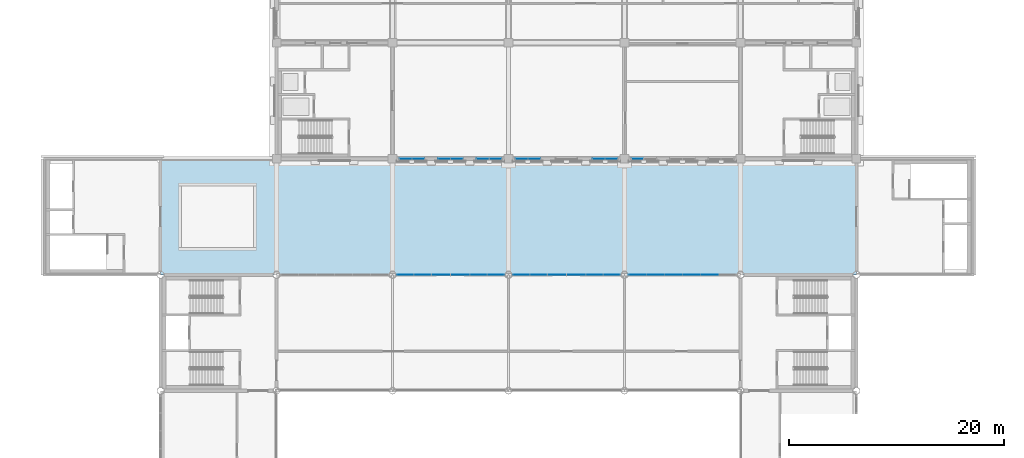
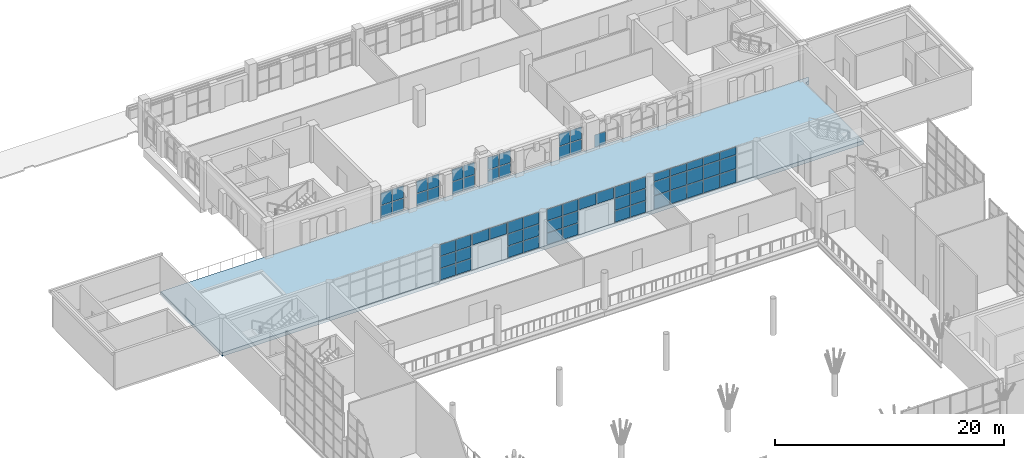
# One storey, part 51 of 95: 64 plates, 1 slab, 13 elements without a shape of their own.
"""IFC4 building model written with IfcOpenShell, lengths in metres."""

import ifcopenshell
import ifcopenshell.guid

model = None  # the IFC model being written
_history = None  # IfcOwnerHistory: only IFC2X3 demands one
_inside = {}  # id of a spatial element -> (the spatial element, [elements in it])
_under = {}  # id of a project, library or spatial element -> (it, [spatial elements below it])
_declared = {}  # id of a project -> (the project, [libraries it declares])
_typed = {}  # id of a type object -> (the type object, [elements of that type])
_made_of = {}  # id of a material, layer set ... -> (it, [elements and type objects made of it])


def new_model(schema):
    """Start an empty IFC model of exactly this schema.

    Asked for "IFC4X3", IfcOpenShell would pick the latest addendum, in which some entities
    have other attributes; the version numbers below select the first issue.
    IFC2X3 requires an IfcOwnerHistory on every rooted entity: one is made here for all.
    """
    global model, _history
    if schema == "IFC4X3":
        model = ifcopenshell.file(schema_version=(4, 3, 0, 0))
    else:
        model = ifcopenshell.file(schema=schema)
    _inside.clear()
    _under.clear()
    _declared.clear()
    _typed.clear()
    _made_of.clear()
    _history = None
    if model.schema == "IFC2X3":
        org = make("IfcOrganization", Name="unknown")
        user = make(
            "IfcPersonAndOrganization",
            ThePerson=make("IfcPerson", FamilyName="unknown"),
            TheOrganization=org,
        )
        app = make(
            "IfcApplication",
            ApplicationDeveloper=org,
            Version="unknown",
            ApplicationFullName="unknown",
            ApplicationIdentifier="unknown",
        )
        _history = make(
            "IfcOwnerHistory",
            OwningUser=user,
            OwningApplication=app,
            ChangeAction="ADDED",
            CreationDate=0,
        )
    return model


def make(cls, **values):
    """One entity of the class cls with the attributes given. An attribute that is None is left unset."""
    return model.create_entity(
        cls, **{name: value for name, value in values.items() if value is not None}
    )


def rooted(cls, **values):
    """An entity with a GlobalId (a new one), such as an element, a storey or a relation."""
    return make(cls, GlobalId=ifcopenshell.guid.new(), OwnerHistory=_history, **values)


def si_unit(unit_type, name, prefix=None):
    """IfcSIUnit, for example si_unit("LENGTHUNIT", "METRE", prefix="MILLI")."""
    return make("IfcSIUnit", UnitType=unit_type, Prefix=prefix, Name=name)


def assignment(units):
    """IfcUnitAssignment: the units of a project."""
    return None if units is None else make("IfcUnitAssignment", Units=units)


def point(xyz):
    """IfcCartesianPoint."""
    return None if xyz is None else make("IfcCartesianPoint", Coordinates=xyz)


def direction(xyz):
    """IfcDirection."""
    return None if xyz is None else make("IfcDirection", DirectionRatios=xyz)


def frame(location, z_axis=None, x_axis=None):
    """IfcAxis2Placement3D, a coordinate frame: its origin and axes. An axis left out is left unset."""
    return make(
        "IfcAxis2Placement3D",
        Location=point(location),
        Axis=direction(z_axis),
        RefDirection=direction(x_axis),
    )


def frame_2d(location, x_axis=None):
    """IfcAxis2Placement2D, a coordinate frame in the plane: its origin and x axis."""
    return make(
        "IfcAxis2Placement2D", Location=point(location), RefDirection=direction(x_axis)
    )


def origin():
    """The frame at (0, 0, 0) with its axes left unset."""
    return frame((0.0, 0.0, 0.0))


def origin_2d():
    """The frame at (0, 0) in the plane with its x axis left unset."""
    return frame_2d((0.0, 0.0))


def place(relative_to, where):
    """IfcLocalPlacement: puts the frame where relative to a parent placement (None: the world)."""
    return make(
        "IfcLocalPlacement", PlacementRelTo=relative_to, RelativePlacement=where
    )


def context(
    kind, dimensions, precision=None, world=None, true_north=None, identifier=None
):
    """IfcGeometricRepresentationContext, for example the 3D "Model" context."""
    return make(
        "IfcGeometricRepresentationContext",
        ContextIdentifier=identifier,
        ContextType=kind,
        CoordinateSpaceDimension=dimensions,
        Precision=precision,
        WorldCoordinateSystem=world,
        TrueNorth=true_north,
    )


def subcontext(parent, identifier, kind, view, scale=None):
    """IfcGeometricRepresentationSubContext, for example "Body" below "Model"."""
    return make(
        "IfcGeometricRepresentationSubContext",
        ContextIdentifier=identifier,
        ContextType=kind,
        ParentContext=parent,
        TargetScale=scale,
        TargetView=view,
    )


def project(units=None, contexts=None):
    """IfcProject with its units and contexts."""
    return rooted(
        "IfcProject",
        Name="project",
        RepresentationContexts=contexts,
        UnitsInContext=assignment(units),
    )


def spatial(cls, under=None, at=None, **own):
    """A site, building, storey or space (cls), placed at a placement, below another one or the project."""
    s = rooted(cls, ObjectPlacement=at, **own)
    if under is not None:
        _under.setdefault(under.id(), (under, []))[1].append(s)
    return s


def polyline(points):
    """IfcPolyline through the points."""
    return make("IfcPolyline", Points=[point(p) for p in points])


def profile(cls, at=None, kind="AREA", **sizes):
    """A parametric profile (cls). Its sizes go by their IFC names, for example OverallWidth=200.0."""
    return make(cls, ProfileType=kind, Position=at, **sizes)


def rectangle(**sizes):
    """IfcRectangleProfileDef."""
    return profile("IfcRectangleProfileDef", **sizes)


def outline(outer, holes=None, kind="AREA"):
    """IfcArbitraryClosedProfileDef: a profile drawn as a closed curve; with holes, ...WithVoids."""
    if holes is None:
        return make("IfcArbitraryClosedProfileDef", ProfileType=kind, OuterCurve=outer)
    return make(
        "IfcArbitraryProfileDefWithVoids",
        ProfileType=kind,
        OuterCurve=outer,
        InnerCurves=holes,
    )


def extrude(swept, where, along, depth):
    """IfcExtrudedAreaSolid: the profile swept, set in the frame where, extruded along a direction by depth."""
    return make(
        "IfcExtrudedAreaSolid",
        SweptArea=swept,
        Position=where,
        ExtrudedDirection=direction(along),
        Depth=depth,
    )


def shape(context_of_items, identifier, shape_type, items):
    """IfcShapeRepresentation: the items that make up one representation, for example the "Body"."""
    return make(
        "IfcShapeRepresentation",
        ContextOfItems=context_of_items,
        RepresentationIdentifier=identifier,
        RepresentationType=shape_type,
        Items=items,
    )


def material(Name=None, Category=None):
    """IfcMaterial."""
    return make("IfcMaterial", Name=Name, Category=Category)


def layer(
    of_material, thickness, ventilated=None, Name=None, Category=None, Priority=None
):
    """IfcMaterialLayer: one layer of a wall or slab, of a material (None: an air gap)."""
    return make(
        "IfcMaterialLayer",
        Material=of_material,
        LayerThickness=thickness,
        IsVentilated=ventilated,
        Name=Name,
        Category=Category,
        Priority=Priority,
    )


def layer_set(layers, Name=None):
    """IfcMaterialLayerSet."""
    return make("IfcMaterialLayerSet", MaterialLayers=layers, LayerSetName=Name)


def made_of(thing, what):
    """Note that an element or type object is made of a material, layer set ...; save() writes the relation."""
    if what is not None:
        _made_of.setdefault(what.id(), (what, []))[1].append(thing)
    return thing


def type_object(cls, material=None, **own):
    """A type object (cls), such as IfcWallType, which elements share."""
    return made_of(rooted(cls, **own), material)


def element(
    cls,
    number,
    at=None,
    inside=None,
    cuts=None,
    type_object=None,
    material=None,
    context=None,
    identifier="Body",
    shape_type=None,
    held_by="IfcProductDefinitionShape",
    body=None,
    shapes=None,
    **own,
):
    """One element of the class cls, such as IfcWall. Its Tag is "e" and its number.

    at: its placement. inside: the storey or other place that contains it. cuts: it is an
    opening in that element (IfcRelVoidsElement). A single representation is given by context,
    identifier, shape_type and body (its items); several are given by shapes. held_by: the class
    of the entity that holds the representations. save() writes the other relations.
    """
    e = rooted(cls, Tag="e%d" % number, ObjectPlacement=at, **own)
    if body is not None:
        shapes = [shape(context, identifier, shape_type, body)]
    if shapes is not None:
        e.Representation = make(held_by, Representations=shapes)
    if inside is not None:
        _inside.setdefault(inside.id(), (inside, []))[1].append(e)
    if cuts is not None:
        rooted(
            "IfcRelVoidsElement", RelatingBuildingElement=cuts, RelatedOpeningElement=e
        )
    if type_object is not None:
        _typed.setdefault(type_object.id(), (type_object, []))[1].append(e)
    return made_of(e, material)


def aggregate(whole, parts):
    """IfcRelAggregates: a whole, such as a stair, and the parts it consists of."""
    return rooted("IfcRelAggregates", RelatingObject=whole, RelatedObjects=parts)


def save(model, path):
    """Write the relations noted so far, then the file.

    IfcRelAggregates (storeys below a building ...), IfcRelContainedInSpatialStructure (elements
    in a storey), IfcRelDefinesByType, IfcRelAssociatesMaterial and IfcRelDeclares: one each for
    every whole, place, type object, material and project.
    """
    for whole, parts in _under.values():
        aggregate(whole, parts)
    for where, things in _inside.values():
        rooted(
            "IfcRelContainedInSpatialStructure",
            RelatedElements=things,
            RelatingStructure=where,
        )
    for kind, things in _typed.values():
        rooted("IfcRelDefinesByType", RelatedObjects=things, RelatingType=kind)
    for what, things in _made_of.values():
        rooted("IfcRelAssociatesMaterial", RelatedObjects=things, RelatingMaterial=what)
    for by, libraries in _declared.values():
        rooted("IfcRelDeclares", RelatingContext=by, RelatedDefinitions=libraries)
    model.write(path)


model = new_model("IFC4")

# Units and contexts
model_context = context("Model", 3, precision=1e-05, world=origin(), true_north=direction((0.0, 1.0)))
body_context = subcontext(model_context, "Body", "Model", "MODEL_VIEW")
ifc_project = project(units=[si_unit("LENGTHUNIT", "METRE"), si_unit("AREAUNIT", "SQUARE_METRE"), si_unit("VOLUMEUNIT", "CUBIC_METRE"), si_unit("PLANEANGLEUNIT", "RADIAN"), si_unit("MASSUNIT", "GRAM", prefix="KILO")], contexts=[model_context])

# Site, building, storey
site_placement = place(None, origin())
site = spatial("IfcSite", under=ifc_project, at=site_placement, CompositionType="ELEMENT")
building_placement = place(site_placement, origin())
building = spatial("IfcBuilding", under=site, at=building_placement, Name="Magnolia Steps Interchange", CompositionType="ELEMENT")
storey_placement = place(building_placement, frame((0.0, 0.0, 4.800048828125)))
storey = spatial("IfcBuildingStorey", under=building, at=storey_placement, Name="L01", CompositionType="ELEMENT", Elevation=4.800048828125)

# Slab
ifc_material_1 = material(Name="Concrete C40", Category="concrete")
ifc_layer_1 = layer(ifc_material_1, 0.39990234375)
ifc_layer_set_1 = layer_set([ifc_layer_1], Name="Floor slab 400")
slab_type = type_object("IfcSlabType", Name="Floor slab 400", PredefinedType="FLOOR", material=ifc_layer_set_1)
slab_placement = place(storey_placement, frame((0.0, 0.0, -0.400146484375)))
element("IfcSlab", 1, at=slab_placement, inside=storey, type_object=slab_type, Name="Raised public deck", PredefinedType="FLOOR", context=body_context, shape_type="SweptSolid", body=[
    extrude(outline(polyline([(53.199951171875, 96.39990234375), (53.199951171875, 85.60009765625), (118.0, 85.60009765625), (118.0, 95.75), (118.063720703125, 95.753173828125), (118.126708984375, 95.762451171875), (118.188720703125, 95.778076171875), (118.248779296875, 95.799560546875), (118.306396484375, 95.826904296875), (118.361083984375, 95.859619140625), (118.412353515625, 95.8974609375), (118.459716796875, 95.9404296875), (118.50244140625, 95.987548828125), (118.54052734375, 96.038818359375), (118.5732421875, 96.093505859375), (118.6005859375, 96.1513671875), (118.6220703125, 96.211181640625), (118.637451171875, 96.273193359375), (118.64697265625, 96.336181640625), (118.64990234375, 96.39990234375), (53.199951171875, 96.39990234375)])), origin(), (0.0, 0.0, 1.0), 0.400146484375),
])

# Curtain wall, plates
ifc_material_2 = material(Name="Powder-coated aluminium and glass", Category="aluminium")
ifc_layer_2 = layer(ifc_material_2, 0.179931640625)
ifc_layer_set_2 = layer_set([ifc_layer_2], Name="Lobby shopfront curtain wall")
curtain_wall_type_1 = type_object("IfcCurtainWallType", Name="Lobby shopfront curtain wall", PredefinedType="NOTDEFINED", material=ifc_layer_set_2)
curtain_wall_1_placement = place(storey_placement, origin())
curtain_wall_1 = element("IfcCurtainWall", 2, at=curtain_wall_1_placement, inside=storey, type_object=curtain_wall_type_1, Name="Operations lobby south glazing 2", PredefinedType="NOTDEFINED")
ifc_material_3 = material(Name="Laminated glass", Category="glass")
ifc_layer_3 = layer(ifc_material_3, 0.028076171875)
ifc_layer_set_3 = layer_set([ifc_layer_3], Name="Glass panel 28")
plate_type = type_object("IfcPlateType", Name="Glass panel 28", PredefinedType="CURTAIN_PANEL", material=ifc_layer_set_3)
plate_1_placement = place(storey_placement, frame((76.014892578125, 96.39990234375, 0.059814453125), z_axis=(0.0, 0.0, 1.0), x_axis=(1.0, 0.0, 0.0)))
plate_1 = element("IfcPlate", 3, at=plate_1_placement, type_object=plate_type, Name="CW5 panel 1.1", PredefinedType="CURTAIN_PANEL", context=body_context, shape_type="SweptSolid", body=[
    extrude(rectangle(XDim=1.110107421875, YDim=0.028076171875, at=origin_2d()), origin(), (0.0, 0.0, 1.0), 1.31005859375),
])
plate_2_placement = place(storey_placement, frame((76.014892578125, 96.39990234375, 1.429931640625), z_axis=(0.0, 0.0, 1.0), x_axis=(1.0, 0.0, 0.0)))
plate_2 = element("IfcPlate", 4, at=plate_2_placement, type_object=plate_type, Name="CW5 panel 1.2", PredefinedType="CURTAIN_PANEL", context=body_context, shape_type="SweptSolid", body=[
    extrude(rectangle(XDim=1.110107421875, YDim=0.028076171875, at=origin_2d()), origin(), (0.0, 0.0, 1.0), 1.31005859375),
])
plate_3_placement = place(storey_placement, frame((77.18505859375, 96.39990234375, 0.059814453125), z_axis=(0.0, 0.0, 1.0), x_axis=(1.0, 0.0, 0.0)))
plate_3 = element("IfcPlate", 5, at=plate_3_placement, type_object=plate_type, Name="CW5 panel 2.1", PredefinedType="CURTAIN_PANEL", context=body_context, shape_type="SweptSolid", body=[
    extrude(rectangle(XDim=1.110107421875, YDim=0.028076171875, at=origin_2d()), origin(), (0.0, 0.0, 1.0), 1.31005859375),
])
plate_4_placement = place(storey_placement, frame((77.18505859375, 96.39990234375, 1.429931640625), z_axis=(0.0, 0.0, 1.0), x_axis=(1.0, 0.0, 0.0)))
plate_4 = element("IfcPlate", 6, at=plate_4_placement, type_object=plate_type, Name="CW5 panel 2.2", PredefinedType="CURTAIN_PANEL", context=body_context, shape_type="SweptSolid", body=[
    extrude(rectangle(XDim=1.110107421875, YDim=0.028076171875, at=origin_2d()), origin(), (0.0, 0.0, 1.0), 1.31005859375),
])
aggregate(curtain_wall_1, [plate_1, plate_2, plate_3, plate_4])

curtain_wall_2_placement = place(storey_placement, origin())
curtain_wall_2 = element("IfcCurtainWall", 7, at=curtain_wall_2_placement, inside=storey, type_object=curtain_wall_type_1, Name="Operations lobby south glazing 4", PredefinedType="NOTDEFINED")
plate_5_placement = place(storey_placement, frame((79.614990234375, 96.39990234375, 0.059814453125), z_axis=(0.0, 0.0, 1.0), x_axis=(1.0, 0.0, 0.0)))
plate_5 = element("IfcPlate", 8, at=plate_5_placement, type_object=plate_type, Name="CW5 panel 1.1", PredefinedType="CURTAIN_PANEL", context=body_context, shape_type="SweptSolid", body=[
    extrude(rectangle(XDim=1.110107421875, YDim=0.028076171875, at=origin_2d()), origin(), (0.0, 0.0, 1.0), 1.31005859375),
])
plate_6_placement = place(storey_placement, frame((79.614990234375, 96.39990234375, 1.429931640625), z_axis=(0.0, 0.0, 1.0), x_axis=(1.0, 0.0, 0.0)))
plate_6 = element("IfcPlate", 9, at=plate_6_placement, type_object=plate_type, Name="CW5 panel 1.2", PredefinedType="CURTAIN_PANEL", context=body_context, shape_type="SweptSolid", body=[
    extrude(rectangle(XDim=1.110107421875, YDim=0.028076171875, at=origin_2d()), origin(), (0.0, 0.0, 1.0), 1.31005859375),
])
plate_7_placement = place(storey_placement, frame((80.784912109375, 96.39990234375, 0.059814453125), z_axis=(0.0, 0.0, 1.0), x_axis=(1.0, 0.0, 0.0)))
plate_7 = element("IfcPlate", 10, at=plate_7_placement, type_object=plate_type, Name="CW5 panel 2.1", PredefinedType="CURTAIN_PANEL", context=body_context, shape_type="SweptSolid", body=[
    extrude(rectangle(XDim=1.110107421875, YDim=0.028076171875, at=origin_2d()), origin(), (0.0, 0.0, 1.0), 1.31005859375),
])
plate_8_placement = place(storey_placement, frame((80.784912109375, 96.39990234375, 1.429931640625), z_axis=(0.0, 0.0, 1.0), x_axis=(1.0, 0.0, 0.0)))
plate_8 = element("IfcPlate", 11, at=plate_8_placement, type_object=plate_type, Name="CW5 panel 2.2", PredefinedType="CURTAIN_PANEL", context=body_context, shape_type="SweptSolid", body=[
    extrude(rectangle(XDim=1.110107421875, YDim=0.028076171875, at=origin_2d()), origin(), (0.0, 0.0, 1.0), 1.31005859375),
])
aggregate(curtain_wall_2, [plate_5, plate_6, plate_7, plate_8])

curtain_wall_3_placement = place(storey_placement, origin())
curtain_wall_3 = element("IfcCurtainWall", 12, at=curtain_wall_3_placement, inside=storey, type_object=curtain_wall_type_1, Name="Operations lobby south glazing 6", PredefinedType="NOTDEFINED")
plate_9_placement = place(storey_placement, frame((83.215087890625, 96.39990234375, 0.059814453125), z_axis=(0.0, 0.0, 1.0), x_axis=(1.0, 0.0, 0.0)))
plate_9 = element("IfcPlate", 13, at=plate_9_placement, type_object=plate_type, Name="CW5 panel 1.1", PredefinedType="CURTAIN_PANEL", context=body_context, shape_type="SweptSolid", body=[
    extrude(rectangle(XDim=1.110107421875, YDim=0.028076171875, at=origin_2d()), origin(), (0.0, 0.0, 1.0), 1.31005859375),
])
plate_10_placement = place(storey_placement, frame((83.215087890625, 96.39990234375, 1.429931640625), z_axis=(0.0, 0.0, 1.0), x_axis=(1.0, 0.0, 0.0)))
plate_10 = element("IfcPlate", 14, at=plate_10_placement, type_object=plate_type, Name="CW5 panel 1.2", PredefinedType="CURTAIN_PANEL", context=body_context, shape_type="SweptSolid", body=[
    extrude(rectangle(XDim=1.110107421875, YDim=0.028076171875, at=origin_2d()), origin(), (0.0, 0.0, 1.0), 1.31005859375),
])
plate_11_placement = place(storey_placement, frame((84.385009765625, 96.39990234375, 0.059814453125), z_axis=(0.0, 0.0, 1.0), x_axis=(1.0, 0.0, 0.0)))
plate_11 = element("IfcPlate", 15, at=plate_11_placement, type_object=plate_type, Name="CW5 panel 2.1", PredefinedType="CURTAIN_PANEL", context=body_context, shape_type="SweptSolid", body=[
    extrude(rectangle(XDim=1.110107421875, YDim=0.028076171875, at=origin_2d()), origin(), (0.0, 0.0, 1.0), 1.31005859375),
])
plate_12_placement = place(storey_placement, frame((84.385009765625, 96.39990234375, 1.429931640625), z_axis=(0.0, 0.0, 1.0), x_axis=(1.0, 0.0, 0.0)))
plate_12 = element("IfcPlate", 16, at=plate_12_placement, type_object=plate_type, Name="CW5 panel 2.2", PredefinedType="CURTAIN_PANEL", context=body_context, shape_type="SweptSolid", body=[
    extrude(rectangle(XDim=1.110107421875, YDim=0.028076171875, at=origin_2d()), origin(), (0.0, 0.0, 1.0), 1.31005859375),
])
aggregate(curtain_wall_3, [plate_9, plate_10, plate_11, plate_12])

curtain_wall_4_placement = place(storey_placement, origin())
curtain_wall_4 = element("IfcCurtainWall", 17, at=curtain_wall_4_placement, inside=storey, type_object=curtain_wall_type_1, Name="Operations lobby south glazing 8", PredefinedType="NOTDEFINED")
plate_13_placement = place(storey_placement, frame((86.81494140625, 96.39990234375, 0.059814453125), z_axis=(0.0, 0.0, 1.0), x_axis=(1.0, 0.0, 0.0)))
plate_13 = element("IfcPlate", 18, at=plate_13_placement, type_object=plate_type, Name="CW5 panel 1.1", PredefinedType="CURTAIN_PANEL", context=body_context, shape_type="SweptSolid", body=[
    extrude(rectangle(XDim=1.110107421875, YDim=0.028076171875, at=origin_2d()), origin(), (0.0, 0.0, 1.0), 1.31005859375),
])
plate_14_placement = place(storey_placement, frame((86.81494140625, 96.39990234375, 1.429931640625), z_axis=(0.0, 0.0, 1.0), x_axis=(1.0, 0.0, 0.0)))
plate_14 = element("IfcPlate", 19, at=plate_14_placement, type_object=plate_type, Name="CW5 panel 1.2", PredefinedType="CURTAIN_PANEL", context=body_context, shape_type="SweptSolid", body=[
    extrude(rectangle(XDim=1.110107421875, YDim=0.028076171875, at=origin_2d()), origin(), (0.0, 0.0, 1.0), 1.31005859375),
])
plate_15_placement = place(storey_placement, frame((87.985107421875, 96.39990234375, 0.059814453125), z_axis=(0.0, 0.0, 1.0), x_axis=(1.0, 0.0, 0.0)))
plate_15 = element("IfcPlate", 20, at=plate_15_placement, type_object=plate_type, Name="CW5 panel 2.1", PredefinedType="CURTAIN_PANEL", context=body_context, shape_type="SweptSolid", body=[
    extrude(rectangle(XDim=1.110107421875, YDim=0.028076171875, at=origin_2d()), origin(), (0.0, 0.0, 1.0), 1.31005859375),
])
plate_16_placement = place(storey_placement, frame((87.985107421875, 96.39990234375, 1.429931640625), z_axis=(0.0, 0.0, 1.0), x_axis=(1.0, 0.0, 0.0)))
plate_16 = element("IfcPlate", 21, at=plate_16_placement, type_object=plate_type, Name="CW5 panel 2.2", PredefinedType="CURTAIN_PANEL", context=body_context, shape_type="SweptSolid", body=[
    extrude(rectangle(XDim=1.110107421875, YDim=0.028076171875, at=origin_2d()), origin(), (0.0, 0.0, 1.0), 1.31005859375),
])
aggregate(curtain_wall_4, [plate_13, plate_14, plate_15, plate_16])

curtain_wall_5_placement = place(storey_placement, origin())
curtain_wall_5 = element("IfcCurtainWall", 22, at=curtain_wall_5_placement, inside=storey, type_object=curtain_wall_type_1, Name="Operations lobby south glazing 10", PredefinedType="NOTDEFINED")
plate_17_placement = place(storey_placement, frame((94.014892578125, 96.39990234375, 0.059814453125), z_axis=(0.0, 0.0, 1.0), x_axis=(1.0, 0.0, 0.0)))
plate_17 = element("IfcPlate", 23, at=plate_17_placement, type_object=plate_type, Name="CW5 panel 1.1", PredefinedType="CURTAIN_PANEL", context=body_context, shape_type="SweptSolid", body=[
    extrude(rectangle(XDim=1.110107421875, YDim=0.028076171875, at=origin_2d()), origin(), (0.0, 0.0, 1.0), 1.31005859375),
])
plate_18_placement = place(storey_placement, frame((94.014892578125, 96.39990234375, 1.429931640625), z_axis=(0.0, 0.0, 1.0), x_axis=(1.0, 0.0, 0.0)))
plate_18 = element("IfcPlate", 24, at=plate_18_placement, type_object=plate_type, Name="CW5 panel 1.2", PredefinedType="CURTAIN_PANEL", context=body_context, shape_type="SweptSolid", body=[
    extrude(rectangle(XDim=1.110107421875, YDim=0.028076171875, at=origin_2d()), origin(), (0.0, 0.0, 1.0), 1.31005859375),
])
plate_19_placement = place(storey_placement, frame((95.18505859375, 96.39990234375, 0.059814453125), z_axis=(0.0, 0.0, 1.0), x_axis=(1.0, 0.0, 0.0)))
plate_19 = element("IfcPlate", 25, at=plate_19_placement, type_object=plate_type, Name="CW5 panel 2.1", PredefinedType="CURTAIN_PANEL", context=body_context, shape_type="SweptSolid", body=[
    extrude(rectangle(XDim=1.110107421875, YDim=0.028076171875, at=origin_2d()), origin(), (0.0, 0.0, 1.0), 1.31005859375),
])
plate_20_placement = place(storey_placement, frame((95.18505859375, 96.39990234375, 1.429931640625), z_axis=(0.0, 0.0, 1.0), x_axis=(1.0, 0.0, 0.0)))
plate_20 = element("IfcPlate", 26, at=plate_20_placement, type_object=plate_type, Name="CW5 panel 2.2", PredefinedType="CURTAIN_PANEL", context=body_context, shape_type="SweptSolid", body=[
    extrude(rectangle(XDim=1.110107421875, YDim=0.028076171875, at=origin_2d()), origin(), (0.0, 0.0, 1.0), 1.31005859375),
])
aggregate(curtain_wall_5, [plate_17, plate_18, plate_19, plate_20])

# Curtain wall, plate
curtain_wall_6_placement = place(storey_placement, origin())
curtain_wall_6 = element("IfcCurtainWall", 27, at=curtain_wall_6_placement, inside=storey, type_object=curtain_wall_type_1, Name="Operations lobby south glazing 12", PredefinedType="NOTDEFINED")
plate_21_placement = place(storey_placement, frame((97.614990234375, 96.39990234375, 0.059814453125), z_axis=(0.0, 0.0, 1.0), x_axis=(1.0, 0.0, 0.0)))
plate_21 = element("IfcPlate", 28, at=plate_21_placement, type_object=plate_type, Name="CW5 panel 1.1", PredefinedType="CURTAIN_PANEL", context=body_context, shape_type="SweptSolid", body=[
    extrude(rectangle(XDim=1.110107421875, YDim=0.028076171875, at=origin_2d()), origin(), (0.0, 0.0, 1.0), 1.31005859375),
])
aggregate(curtain_wall_6, [plate_21])

# Curtain wall, plates
ifc_material_4 = material(Name="Powder-coated aluminium and glass", Category="aluminium")
ifc_layer_4 = layer(ifc_material_4, 0.14990234375)
ifc_layer_set_4 = layer_set([ifc_layer_4], Name="Glazed hall curtain wall")
curtain_wall_type_2 = type_object("IfcCurtainWallType", Name="Glazed hall curtain wall", PredefinedType="NOTDEFINED", material=ifc_layer_set_4)
curtain_wall_7_placement = place(storey_placement, origin())
curtain_wall_7 = element("IfcCurtainWall", 29, at=curtain_wall_7_placement, inside=storey, type_object=curtain_wall_type_2, Name="Hall glazing N3a L01", PredefinedType="NOTDEFINED")
plate_22_placement = place(storey_placement, frame((75.985107421875, 85.60009765625, 0.06005859375), z_axis=(0.0, 0.0, 1.0), x_axis=(1.0, 0.0, 0.0)))
plate_22 = element("IfcPlate", 30, at=plate_22_placement, type_object=plate_type, Name="CW1 panel 1.1", PredefinedType="CURTAIN_PANEL", context=body_context, shape_type="SweptSolid", body=[
    extrude(rectangle(XDim=1.530029296875, YDim=0.028076171875, at=origin_2d()), origin(), (0.0, 0.0, 1.0), 1.2099609375),
])
plate_23_placement = place(storey_placement, frame((75.985107421875, 85.60009765625, 1.330078125), z_axis=(0.0, 0.0, 1.0), x_axis=(1.0, 0.0, 0.0)))
plate_23 = element("IfcPlate", 31, at=plate_23_placement, type_object=plate_type, Name="CW1 panel 1.2", PredefinedType="CURTAIN_PANEL", context=body_context, shape_type="SweptSolid", body=[
    extrude(rectangle(XDim=1.530029296875, YDim=0.028076171875, at=origin_2d()), origin(), (0.0, 0.0, 1.0), 1.239990234375),
])
plate_24_placement = place(storey_placement, frame((75.985107421875, 85.60009765625, 2.6298828125), z_axis=(0.0, 0.0, 1.0), x_axis=(1.0, 0.0, 0.0)))
plate_24 = element("IfcPlate", 32, at=plate_24_placement, type_object=plate_type, Name="CW1 panel 1.3", PredefinedType="CURTAIN_PANEL", context=body_context, shape_type="SweptSolid", body=[
    extrude(rectangle(XDim=1.530029296875, YDim=0.028076171875, at=origin_2d()), origin(), (0.0, 0.0, 1.0), 1.2099609375),
])
plate_25_placement = place(storey_placement, frame((77.574951171875, 85.60009765625, 0.06005859375), z_axis=(0.0, 0.0, 1.0), x_axis=(1.0, 0.0, 0.0)))
plate_25 = element("IfcPlate", 33, at=plate_25_placement, type_object=plate_type, Name="CW1 panel 2.1", PredefinedType="CURTAIN_PANEL", context=body_context, shape_type="SweptSolid", body=[
    extrude(rectangle(XDim=1.530029296875, YDim=0.028076171875, at=origin_2d()), origin(), (0.0, 0.0, 1.0), 1.2099609375),
])
plate_26_placement = place(storey_placement, frame((77.574951171875, 85.60009765625, 1.330078125), z_axis=(0.0, 0.0, 1.0), x_axis=(1.0, 0.0, 0.0)))
plate_26 = element("IfcPlate", 34, at=plate_26_placement, type_object=plate_type, Name="CW1 panel 2.2", PredefinedType="CURTAIN_PANEL", context=body_context, shape_type="SweptSolid", body=[
    extrude(rectangle(XDim=1.530029296875, YDim=0.028076171875, at=origin_2d()), origin(), (0.0, 0.0, 1.0), 1.239990234375),
])
plate_27_placement = place(storey_placement, frame((77.574951171875, 85.60009765625, 2.6298828125), z_axis=(0.0, 0.0, 1.0), x_axis=(1.0, 0.0, 0.0)))
plate_27 = element("IfcPlate", 35, at=plate_27_placement, type_object=plate_type, Name="CW1 panel 2.3", PredefinedType="CURTAIN_PANEL", context=body_context, shape_type="SweptSolid", body=[
    extrude(rectangle(XDim=1.530029296875, YDim=0.028076171875, at=origin_2d()), origin(), (0.0, 0.0, 1.0), 1.2099609375),
])
aggregate(curtain_wall_7, [plate_22, plate_23, plate_24, plate_25, plate_26, plate_27])

curtain_wall_8_placement = place(storey_placement, origin())
curtain_wall_8 = element("IfcCurtainWall", 36, at=curtain_wall_8_placement, inside=storey, type_object=curtain_wall_type_2, Name="Hall entrance fanlight N3", PredefinedType="NOTDEFINED")
plate_28_placement = place(storey_placement, frame((79.31494140625, 85.60009765625, 2.66015625), z_axis=(0.0, 0.0, 1.0), x_axis=(1.0, 0.0, 0.0)))
plate_28 = element("IfcPlate", 37, at=plate_28_placement, type_object=plate_type, Name="CW1 panel 1.1", PredefinedType="CURTAIN_PANEL", context=body_context, shape_type="SweptSolid", body=[
    extrude(rectangle(XDim=1.7099609375, YDim=0.028076171875, at=origin_2d()), origin(), (0.0, 0.0, 1.0), 1.179931640625),
])
plate_29_placement = place(storey_placement, frame((81.0849609375, 85.60009765625, 2.66015625), z_axis=(0.0, 0.0, 1.0), x_axis=(1.0, 0.0, 0.0)))
plate_29 = element("IfcPlate", 38, at=plate_29_placement, type_object=plate_type, Name="CW1 panel 2.1", PredefinedType="CURTAIN_PANEL", context=body_context, shape_type="SweptSolid", body=[
    extrude(rectangle(XDim=1.7099609375, YDim=0.028076171875, at=origin_2d()), origin(), (0.0, 0.0, 1.0), 1.179931640625),
])
aggregate(curtain_wall_8, [plate_28, plate_29])

curtain_wall_9_placement = place(storey_placement, origin())
curtain_wall_9 = element("IfcCurtainWall", 39, at=curtain_wall_9_placement, inside=storey, type_object=curtain_wall_type_2, Name="Hall glazing N3z L01", PredefinedType="NOTDEFINED")
plate_30_placement = place(storey_placement, frame((82.824951171875, 85.60009765625, 0.06005859375), z_axis=(0.0, 0.0, 1.0), x_axis=(1.0, 0.0, 0.0)))
plate_30 = element("IfcPlate", 40, at=plate_30_placement, type_object=plate_type, Name="CW1 panel 1.1", PredefinedType="CURTAIN_PANEL", context=body_context, shape_type="SweptSolid", body=[
    extrude(rectangle(XDim=1.530029296875, YDim=0.028076171875, at=origin_2d()), origin(), (0.0, 0.0, 1.0), 1.2099609375),
])
plate_31_placement = place(storey_placement, frame((82.824951171875, 85.60009765625, 1.330078125), z_axis=(0.0, 0.0, 1.0), x_axis=(1.0, 0.0, 0.0)))
plate_31 = element("IfcPlate", 41, at=plate_31_placement, type_object=plate_type, Name="CW1 panel 1.2", PredefinedType="CURTAIN_PANEL", context=body_context, shape_type="SweptSolid", body=[
    extrude(rectangle(XDim=1.530029296875, YDim=0.028076171875, at=origin_2d()), origin(), (0.0, 0.0, 1.0), 1.239990234375),
])
plate_32_placement = place(storey_placement, frame((82.824951171875, 85.60009765625, 2.6298828125), z_axis=(0.0, 0.0, 1.0), x_axis=(1.0, 0.0, 0.0)))
plate_32 = element("IfcPlate", 42, at=plate_32_placement, type_object=plate_type, Name="CW1 panel 1.3", PredefinedType="CURTAIN_PANEL", context=body_context, shape_type="SweptSolid", body=[
    extrude(rectangle(XDim=1.530029296875, YDim=0.028076171875, at=origin_2d()), origin(), (0.0, 0.0, 1.0), 1.2099609375),
])
plate_33_placement = place(storey_placement, frame((84.4150390625, 85.60009765625, 0.06005859375), z_axis=(0.0, 0.0, 1.0), x_axis=(1.0, 0.0, 0.0)))
plate_33 = element("IfcPlate", 43, at=plate_33_placement, type_object=plate_type, Name="CW1 panel 2.1", PredefinedType="CURTAIN_PANEL", context=body_context, shape_type="SweptSolid", body=[
    extrude(rectangle(XDim=1.530029296875, YDim=0.028076171875, at=origin_2d()), origin(), (0.0, 0.0, 1.0), 1.2099609375),
])
plate_34_placement = place(storey_placement, frame((84.4150390625, 85.60009765625, 1.330078125), z_axis=(0.0, 0.0, 1.0), x_axis=(1.0, 0.0, 0.0)))
plate_34 = element("IfcPlate", 44, at=plate_34_placement, type_object=plate_type, Name="CW1 panel 2.2", PredefinedType="CURTAIN_PANEL", context=body_context, shape_type="SweptSolid", body=[
    extrude(rectangle(XDim=1.530029296875, YDim=0.028076171875, at=origin_2d()), origin(), (0.0, 0.0, 1.0), 1.239990234375),
])
plate_35_placement = place(storey_placement, frame((84.4150390625, 85.60009765625, 2.6298828125), z_axis=(0.0, 0.0, 1.0), x_axis=(1.0, 0.0, 0.0)))
plate_35 = element("IfcPlate", 45, at=plate_35_placement, type_object=plate_type, Name="CW1 panel 2.3", PredefinedType="CURTAIN_PANEL", context=body_context, shape_type="SweptSolid", body=[
    extrude(rectangle(XDim=1.530029296875, YDim=0.028076171875, at=origin_2d()), origin(), (0.0, 0.0, 1.0), 1.2099609375),
])
aggregate(curtain_wall_9, [plate_30, plate_31, plate_32, plate_33, plate_34, plate_35])

curtain_wall_10_placement = place(storey_placement, origin())
curtain_wall_10 = element("IfcCurtainWall", 46, at=curtain_wall_10_placement, inside=storey, type_object=curtain_wall_type_2, Name="Hall glazing N4a L01", PredefinedType="NOTDEFINED")
plate_36_placement = place(storey_placement, frame((86.784912109375, 85.60009765625, 0.06005859375), z_axis=(0.0, 0.0, 1.0), x_axis=(1.0, 0.0, 0.0)))
plate_36 = element("IfcPlate", 47, at=plate_36_placement, type_object=plate_type, Name="CW1 panel 1.1", PredefinedType="CURTAIN_PANEL", context=body_context, shape_type="SweptSolid", body=[
    extrude(rectangle(XDim=1.530029296875, YDim=0.028076171875, at=origin_2d()), origin(), (0.0, 0.0, 1.0), 1.2099609375),
])
plate_37_placement = place(storey_placement, frame((86.784912109375, 85.60009765625, 1.330078125), z_axis=(0.0, 0.0, 1.0), x_axis=(1.0, 0.0, 0.0)))
plate_37 = element("IfcPlate", 48, at=plate_37_placement, type_object=plate_type, Name="CW1 panel 1.2", PredefinedType="CURTAIN_PANEL", context=body_context, shape_type="SweptSolid", body=[
    extrude(rectangle(XDim=1.530029296875, YDim=0.028076171875, at=origin_2d()), origin(), (0.0, 0.0, 1.0), 1.239990234375),
])
plate_38_placement = place(storey_placement, frame((86.784912109375, 85.60009765625, 2.6298828125), z_axis=(0.0, 0.0, 1.0), x_axis=(1.0, 0.0, 0.0)))
plate_38 = element("IfcPlate", 49, at=plate_38_placement, type_object=plate_type, Name="CW1 panel 1.3", PredefinedType="CURTAIN_PANEL", context=body_context, shape_type="SweptSolid", body=[
    extrude(rectangle(XDim=1.530029296875, YDim=0.028076171875, at=origin_2d()), origin(), (0.0, 0.0, 1.0), 1.2099609375),
])
plate_39_placement = place(storey_placement, frame((88.375, 85.60009765625, 0.06005859375), z_axis=(0.0, 0.0, 1.0), x_axis=(1.0, 0.0, 0.0)))
plate_39 = element("IfcPlate", 50, at=plate_39_placement, type_object=plate_type, Name="CW1 panel 2.1", PredefinedType="CURTAIN_PANEL", context=body_context, shape_type="SweptSolid", body=[
    extrude(rectangle(XDim=1.530029296875, YDim=0.028076171875, at=origin_2d()), origin(), (0.0, 0.0, 1.0), 1.2099609375),
])
plate_40_placement = place(storey_placement, frame((88.375, 85.60009765625, 1.330078125), z_axis=(0.0, 0.0, 1.0), x_axis=(1.0, 0.0, 0.0)))
plate_40 = element("IfcPlate", 51, at=plate_40_placement, type_object=plate_type, Name="CW1 panel 2.2", PredefinedType="CURTAIN_PANEL", context=body_context, shape_type="SweptSolid", body=[
    extrude(rectangle(XDim=1.530029296875, YDim=0.028076171875, at=origin_2d()), origin(), (0.0, 0.0, 1.0), 1.239990234375),
])
plate_41_placement = place(storey_placement, frame((88.375, 85.60009765625, 2.6298828125), z_axis=(0.0, 0.0, 1.0), x_axis=(1.0, 0.0, 0.0)))
plate_41 = element("IfcPlate", 52, at=plate_41_placement, type_object=plate_type, Name="CW1 panel 2.3", PredefinedType="CURTAIN_PANEL", context=body_context, shape_type="SweptSolid", body=[
    extrude(rectangle(XDim=1.530029296875, YDim=0.028076171875, at=origin_2d()), origin(), (0.0, 0.0, 1.0), 1.2099609375),
])
aggregate(curtain_wall_10, [plate_36, plate_37, plate_38, plate_39, plate_40, plate_41])

curtain_wall_11_placement = place(storey_placement, origin())
curtain_wall_11 = element("IfcCurtainWall", 53, at=curtain_wall_11_placement, inside=storey, type_object=curtain_wall_type_2, Name="Hall entrance fanlight N4", PredefinedType="NOTDEFINED")
plate_42_placement = place(storey_placement, frame((90.114990234375, 85.60009765625, 2.66015625), z_axis=(0.0, 0.0, 1.0), x_axis=(1.0, 0.0, 0.0)))
plate_42 = element("IfcPlate", 54, at=plate_42_placement, type_object=plate_type, Name="CW1 panel 1.1", PredefinedType="CURTAIN_PANEL", context=body_context, shape_type="SweptSolid", body=[
    extrude(rectangle(XDim=1.7099609375, YDim=0.028076171875, at=origin_2d()), origin(), (0.0, 0.0, 1.0), 1.179931640625),
])
plate_43_placement = place(storey_placement, frame((91.885009765625, 85.60009765625, 2.66015625), z_axis=(0.0, 0.0, 1.0), x_axis=(1.0, 0.0, 0.0)))
plate_43 = element("IfcPlate", 55, at=plate_43_placement, type_object=plate_type, Name="CW1 panel 2.1", PredefinedType="CURTAIN_PANEL", context=body_context, shape_type="SweptSolid", body=[
    extrude(rectangle(XDim=1.7099609375, YDim=0.028076171875, at=origin_2d()), origin(), (0.0, 0.0, 1.0), 1.179931640625),
])
aggregate(curtain_wall_11, [plate_42, plate_43])

curtain_wall_12_placement = place(storey_placement, origin())
curtain_wall_12 = element("IfcCurtainWall", 56, at=curtain_wall_12_placement, inside=storey, type_object=curtain_wall_type_2, Name="Hall glazing N4z L01", PredefinedType="NOTDEFINED")
plate_44_placement = place(storey_placement, frame((93.625, 85.60009765625, 0.06005859375), z_axis=(0.0, 0.0, 1.0), x_axis=(1.0, 0.0, 0.0)))
plate_44 = element("IfcPlate", 57, at=plate_44_placement, type_object=plate_type, Name="CW1 panel 1.1", PredefinedType="CURTAIN_PANEL", context=body_context, shape_type="SweptSolid", body=[
    extrude(rectangle(XDim=1.530029296875, YDim=0.028076171875, at=origin_2d()), origin(), (0.0, 0.0, 1.0), 1.2099609375),
])
plate_45_placement = place(storey_placement, frame((93.625, 85.60009765625, 1.330078125), z_axis=(0.0, 0.0, 1.0), x_axis=(1.0, 0.0, 0.0)))
plate_45 = element("IfcPlate", 58, at=plate_45_placement, type_object=plate_type, Name="CW1 panel 1.2", PredefinedType="CURTAIN_PANEL", context=body_context, shape_type="SweptSolid", body=[
    extrude(rectangle(XDim=1.530029296875, YDim=0.028076171875, at=origin_2d()), origin(), (0.0, 0.0, 1.0), 1.239990234375),
])
plate_46_placement = place(storey_placement, frame((93.625, 85.60009765625, 2.6298828125), z_axis=(0.0, 0.0, 1.0), x_axis=(1.0, 0.0, 0.0)))
plate_46 = element("IfcPlate", 59, at=plate_46_placement, type_object=plate_type, Name="CW1 panel 1.3", PredefinedType="CURTAIN_PANEL", context=body_context, shape_type="SweptSolid", body=[
    extrude(rectangle(XDim=1.530029296875, YDim=0.028076171875, at=origin_2d()), origin(), (0.0, 0.0, 1.0), 1.2099609375),
])
plate_47_placement = place(storey_placement, frame((95.215087890625, 85.60009765625, 0.06005859375), z_axis=(0.0, 0.0, 1.0), x_axis=(1.0, 0.0, 0.0)))
plate_47 = element("IfcPlate", 60, at=plate_47_placement, type_object=plate_type, Name="CW1 panel 2.1", PredefinedType="CURTAIN_PANEL", context=body_context, shape_type="SweptSolid", body=[
    extrude(rectangle(XDim=1.530029296875, YDim=0.028076171875, at=origin_2d()), origin(), (0.0, 0.0, 1.0), 1.2099609375),
])
plate_48_placement = place(storey_placement, frame((95.215087890625, 85.60009765625, 1.330078125), z_axis=(0.0, 0.0, 1.0), x_axis=(1.0, 0.0, 0.0)))
plate_48 = element("IfcPlate", 61, at=plate_48_placement, type_object=plate_type, Name="CW1 panel 2.2", PredefinedType="CURTAIN_PANEL", context=body_context, shape_type="SweptSolid", body=[
    extrude(rectangle(XDim=1.530029296875, YDim=0.028076171875, at=origin_2d()), origin(), (0.0, 0.0, 1.0), 1.239990234375),
])
plate_49_placement = place(storey_placement, frame((95.215087890625, 85.60009765625, 2.6298828125), z_axis=(0.0, 0.0, 1.0), x_axis=(1.0, 0.0, 0.0)))
plate_49 = element("IfcPlate", 62, at=plate_49_placement, type_object=plate_type, Name="CW1 panel 2.3", PredefinedType="CURTAIN_PANEL", context=body_context, shape_type="SweptSolid", body=[
    extrude(rectangle(XDim=1.530029296875, YDim=0.028076171875, at=origin_2d()), origin(), (0.0, 0.0, 1.0), 1.2099609375),
])
aggregate(curtain_wall_12, [plate_44, plate_45, plate_46, plate_47, plate_48, plate_49])

curtain_wall_13_placement = place(storey_placement, origin())
curtain_wall_13 = element("IfcCurtainWall", 63, at=curtain_wall_13_placement, inside=storey, type_object=curtain_wall_type_2, Name="Hall glazing N5 L01", PredefinedType="NOTDEFINED")
plate_50_placement = place(storey_placement, frame((97.614990234375, 85.60009765625, 0.06005859375), z_axis=(0.0, 0.0, 1.0), x_axis=(1.0, 0.0, 0.0)))
plate_50 = element("IfcPlate", 64, at=plate_50_placement, type_object=plate_type, Name="CW1 panel 1.1", PredefinedType="CURTAIN_PANEL", context=body_context, shape_type="SweptSolid", body=[
    extrude(rectangle(XDim=1.590087890625, YDim=0.028076171875, at=origin_2d()), origin(), (0.0, 0.0, 1.0), 1.409912109375),
])
plate_51_placement = place(storey_placement, frame((97.614990234375, 85.60009765625, 1.530029296875), z_axis=(0.0, 0.0, 1.0), x_axis=(1.0, 0.0, 0.0)))
plate_51 = element("IfcPlate", 65, at=plate_51_placement, type_object=plate_type, Name="CW1 panel 1.2", PredefinedType="CURTAIN_PANEL", context=body_context, shape_type="SweptSolid", body=[
    extrude(rectangle(XDim=1.590087890625, YDim=0.028076171875, at=origin_2d()), origin(), (0.0, 0.0, 1.0), 1.43994140625),
])
plate_52_placement = place(storey_placement, frame((97.614990234375, 85.60009765625, 3.030029296875), z_axis=(0.0, 0.0, 1.0), x_axis=(1.0, 0.0, 0.0)))
plate_52 = element("IfcPlate", 66, at=plate_52_placement, type_object=plate_type, Name="CW1 panel 1.3", PredefinedType="CURTAIN_PANEL", context=body_context, shape_type="SweptSolid", body=[
    extrude(rectangle(XDim=1.590087890625, YDim=0.028076171875, at=origin_2d()), origin(), (0.0, 0.0, 1.0), 0.81005859375),
])
plate_53_placement = place(storey_placement, frame((99.280029296875, 85.60009765625, 0.06005859375), z_axis=(0.0, 0.0, 1.0), x_axis=(1.0, 0.0, 0.0)))
plate_53 = element("IfcPlate", 67, at=plate_53_placement, type_object=plate_type, Name="CW1 panel 2.1", PredefinedType="CURTAIN_PANEL", context=body_context, shape_type="SweptSolid", body=[
    extrude(rectangle(XDim=1.6201171875, YDim=0.028076171875, at=origin_2d()), origin(), (0.0, 0.0, 1.0), 1.409912109375),
])
plate_54_placement = place(storey_placement, frame((99.280029296875, 85.60009765625, 1.530029296875), z_axis=(0.0, 0.0, 1.0), x_axis=(1.0, 0.0, 0.0)))
plate_54 = element("IfcPlate", 68, at=plate_54_placement, type_object=plate_type, Name="CW1 panel 2.2", PredefinedType="CURTAIN_PANEL", context=body_context, shape_type="SweptSolid", body=[
    extrude(rectangle(XDim=1.6201171875, YDim=0.028076171875, at=origin_2d()), origin(), (0.0, 0.0, 1.0), 1.43994140625),
])
plate_55_placement = place(storey_placement, frame((99.280029296875, 85.60009765625, 3.030029296875), z_axis=(0.0, 0.0, 1.0), x_axis=(1.0, 0.0, 0.0)))
plate_55 = element("IfcPlate", 69, at=plate_55_placement, type_object=plate_type, Name="CW1 panel 2.3", PredefinedType="CURTAIN_PANEL", context=body_context, shape_type="SweptSolid", body=[
    extrude(rectangle(XDim=1.6201171875, YDim=0.028076171875, at=origin_2d()), origin(), (0.0, 0.0, 1.0), 0.81005859375),
])
plate_56_placement = place(storey_placement, frame((100.9599609375, 85.60009765625, 0.06005859375), z_axis=(0.0, 0.0, 1.0), x_axis=(1.0, 0.0, 0.0)))
plate_56 = element("IfcPlate", 70, at=plate_56_placement, type_object=plate_type, Name="CW1 panel 3.1", PredefinedType="CURTAIN_PANEL", context=body_context, shape_type="SweptSolid", body=[
    extrude(rectangle(XDim=1.6201171875, YDim=0.028076171875, at=origin_2d()), origin(), (0.0, 0.0, 1.0), 1.409912109375),
])
plate_57_placement = place(storey_placement, frame((100.9599609375, 85.60009765625, 1.530029296875), z_axis=(0.0, 0.0, 1.0), x_axis=(1.0, 0.0, 0.0)))
plate_57 = element("IfcPlate", 71, at=plate_57_placement, type_object=plate_type, Name="CW1 panel 3.2", PredefinedType="CURTAIN_PANEL", context=body_context, shape_type="SweptSolid", body=[
    extrude(rectangle(XDim=1.6201171875, YDim=0.028076171875, at=origin_2d()), origin(), (0.0, 0.0, 1.0), 1.43994140625),
])
plate_58_placement = place(storey_placement, frame((100.9599609375, 85.60009765625, 3.030029296875), z_axis=(0.0, 0.0, 1.0), x_axis=(1.0, 0.0, 0.0)))
plate_58 = element("IfcPlate", 72, at=plate_58_placement, type_object=plate_type, Name="CW1 panel 3.3", PredefinedType="CURTAIN_PANEL", context=body_context, shape_type="SweptSolid", body=[
    extrude(rectangle(XDim=1.6201171875, YDim=0.028076171875, at=origin_2d()), origin(), (0.0, 0.0, 1.0), 0.81005859375),
])
plate_59_placement = place(storey_placement, frame((102.639892578125, 85.60009765625, 0.06005859375), z_axis=(0.0, 0.0, 1.0), x_axis=(1.0, 0.0, 0.0)))
plate_59 = element("IfcPlate", 73, at=plate_59_placement, type_object=plate_type, Name="CW1 panel 4.1", PredefinedType="CURTAIN_PANEL", context=body_context, shape_type="SweptSolid", body=[
    extrude(rectangle(XDim=1.6201171875, YDim=0.028076171875, at=origin_2d()), origin(), (0.0, 0.0, 1.0), 1.409912109375),
])
plate_60_placement = place(storey_placement, frame((102.639892578125, 85.60009765625, 1.530029296875), z_axis=(0.0, 0.0, 1.0), x_axis=(1.0, 0.0, 0.0)))
plate_60 = element("IfcPlate", 74, at=plate_60_placement, type_object=plate_type, Name="CW1 panel 4.2", PredefinedType="CURTAIN_PANEL", context=body_context, shape_type="SweptSolid", body=[
    extrude(rectangle(XDim=1.6201171875, YDim=0.028076171875, at=origin_2d()), origin(), (0.0, 0.0, 1.0), 1.43994140625),
])
plate_61_placement = place(storey_placement, frame((102.639892578125, 85.60009765625, 3.030029296875), z_axis=(0.0, 0.0, 1.0), x_axis=(1.0, 0.0, 0.0)))
plate_61 = element("IfcPlate", 75, at=plate_61_placement, type_object=plate_type, Name="CW1 panel 4.3", PredefinedType="CURTAIN_PANEL", context=body_context, shape_type="SweptSolid", body=[
    extrude(rectangle(XDim=1.6201171875, YDim=0.028076171875, at=origin_2d()), origin(), (0.0, 0.0, 1.0), 0.81005859375),
])
plate_62_placement = place(storey_placement, frame((104.320068359375, 85.60009765625, 0.06005859375), z_axis=(0.0, 0.0, 1.0), x_axis=(1.0, 0.0, 0.0)))
plate_62 = element("IfcPlate", 76, at=plate_62_placement, type_object=plate_type, Name="CW1 panel 5.1", PredefinedType="CURTAIN_PANEL", context=body_context, shape_type="SweptSolid", body=[
    extrude(rectangle(XDim=1.6201171875, YDim=0.028076171875, at=origin_2d()), origin(), (0.0, 0.0, 1.0), 1.409912109375),
])
plate_63_placement = place(storey_placement, frame((104.320068359375, 85.60009765625, 1.530029296875), z_axis=(0.0, 0.0, 1.0), x_axis=(1.0, 0.0, 0.0)))
plate_63 = element("IfcPlate", 77, at=plate_63_placement, type_object=plate_type, Name="CW1 panel 5.2", PredefinedType="CURTAIN_PANEL", context=body_context, shape_type="SweptSolid", body=[
    extrude(rectangle(XDim=1.6201171875, YDim=0.028076171875, at=origin_2d()), origin(), (0.0, 0.0, 1.0), 1.43994140625),
])
plate_64_placement = place(storey_placement, frame((104.320068359375, 85.60009765625, 3.030029296875), z_axis=(0.0, 0.0, 1.0), x_axis=(1.0, 0.0, 0.0)))
plate_64 = element("IfcPlate", 78, at=plate_64_placement, type_object=plate_type, Name="CW1 panel 5.3", PredefinedType="CURTAIN_PANEL", context=body_context, shape_type="SweptSolid", body=[
    extrude(rectangle(XDim=1.6201171875, YDim=0.028076171875, at=origin_2d()), origin(), (0.0, 0.0, 1.0), 0.81005859375),
])
aggregate(curtain_wall_13, [plate_50, plate_51, plate_52, plate_53, plate_54, plate_55, plate_56, plate_57, plate_58, plate_59, plate_60, plate_61, plate_62, plate_63, plate_64])

save(model, "model.ifc")
